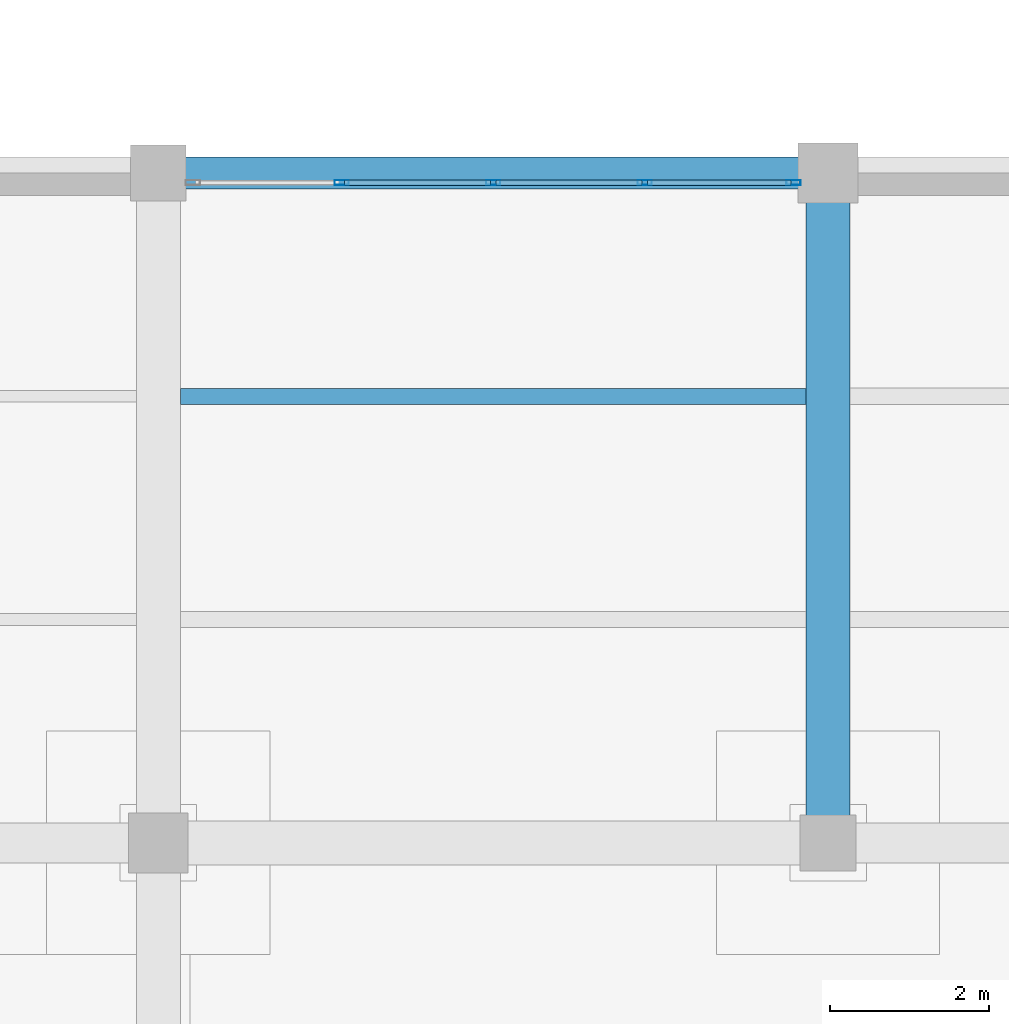
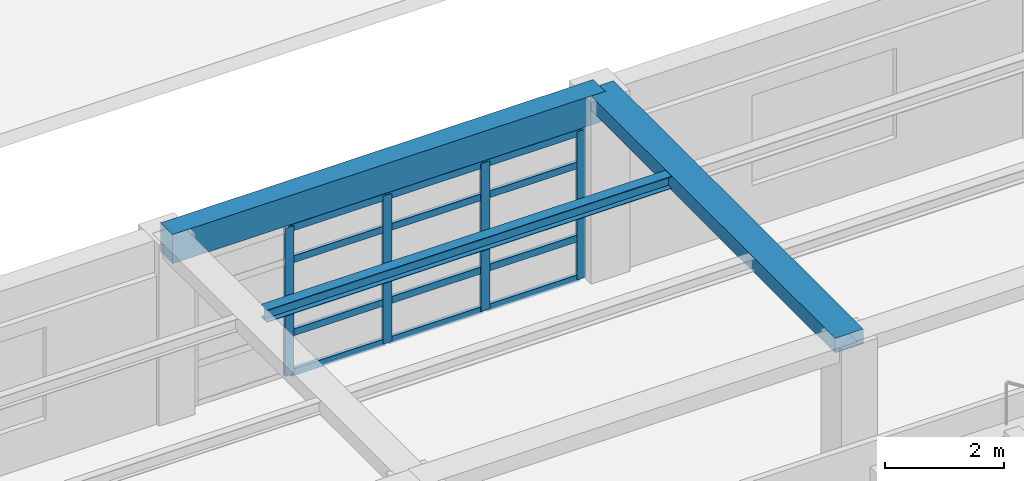
# One storey, part 23 of 35: 16 members, 3 beams, 1 element without a shape of its own.
"""IFC4 building model written with IfcOpenShell, lengths in metres."""

from ifc_helpers import new_model, si_unit, direction, frame, origin, origin_2d, place, context, subcontext, project, spatial, rectangle, hollow_rectangle, i_section, extrude, material, material_profile, profile_set, type_object, element, aggregate, save


model = new_model("IFC4")

# Units and contexts
model_context = context("Model", 3, precision=1e-05, world=origin(), true_north=direction((0.0, 1.0)))
body_context = subcontext(model_context, "Body", "Model", "MODEL_VIEW")
ifc_project = project(units=[si_unit("LENGTHUNIT", "METRE"), si_unit("AREAUNIT", "SQUARE_METRE"), si_unit("VOLUMEUNIT", "CUBIC_METRE"), si_unit("PLANEANGLEUNIT", "RADIAN"), si_unit("MASSUNIT", "GRAM", prefix="KILO")], contexts=[model_context])

# Site, building, storey
site_placement = place(None, origin())
site = spatial("IfcSite", under=ifc_project, at=site_placement, CompositionType="ELEMENT")
building_placement = place(site_placement, origin())
building = spatial("IfcBuilding", under=site, at=building_placement, Name="Almacenes y Pasaje Nevantli", CompositionType="ELEMENT")
storey_placement = place(building_placement, frame((0.0, 0.0, 26.699951171875)))
storey = spatial("IfcBuildingStorey", under=building, at=storey_placement, Name="L06", CompositionType="ELEMENT", Elevation=26.699951171875)

# Beams
ifc_material_1 = material(Name="Concrete C35/45", Category="concrete")
ifc_material_profile_1 = material_profile(ifc_material_1, rectangle(XDim=0.39990234375, YDim=0.60009765625, at=origin_2d()), Name="RC-BM-400x600")
ifc_profile_set_1 = profile_set([ifc_material_profile_1], Name="Concrete C35/45")
beam_type_1 = type_object("IfcBeamType", Name="BM-RC-400x600", PredefinedType="SPANDREL", material=ifc_profile_set_1)
beam_1_placement = place(storey_placement, frame((126.0, 100.800048828125, 3.420166015625), z_axis=(1.0, 0.0, 0.0), x_axis=(0.0, 1.0, 0.0)))
element("IfcBeam", 1, at=beam_1_placement, inside=storey, type_object=beam_type_1, Name="L06 East-West Reinforced Concrete Beam #3599", PredefinedType="SPANDREL", context=body_context, shape_type="SweptSolid", body=[
    extrude(rectangle(XDim=0.39990234375, YDim=0.60009765625, at=origin_2d()), origin(), (0.0, 0.0, 1.0), 8.39990234375),
])
ifc_material_2 = material(Name="Concrete C35/45", Category="concrete")
ifc_material_profile_2 = material_profile(ifc_material_2, rectangle(XDim=0.550048828125, YDim=0.300048828125, at=origin_2d()), Name="RC-BM-550x300")
ifc_profile_set_2 = profile_set([ifc_material_profile_2], Name="Concrete C35/45")
beam_type_2 = type_object("IfcBeamType", Name="BM-RC-550x300", PredefinedType="BEAM", material=ifc_profile_set_2)
beam_2_placement = place(storey_placement, frame((134.39990234375, 92.39990234375, 3.570068359375), z_axis=(0.0, 1.0, 0.0), x_axis=(-1.0, 0.0, 0.0)))
element("IfcBeam", 2, at=beam_2_placement, inside=storey, type_object=beam_type_2, Name="L06 North-South Reinforced Concrete Beam #3616", PredefinedType="BEAM", context=body_context, shape_type="SweptSolid", body=[
    extrude(rectangle(XDim=0.550048828125, YDim=0.300048828125, at=origin_2d()), origin(), (0.0, 0.0, 1.0), 8.400146484375),
])
ifc_material_3 = material(Name="Steel ASTM A992", Category="steel")
ifc_material_profile_3 = material_profile(ifc_material_3, i_section(OverallWidth=0.202880859375, OverallDepth=0.25390625, WebThickness=0.00732421875, FlangeThickness=0.010986328125, at=origin_2d()), Name="IR 254x49.1")
ifc_profile_set_3 = profile_set([ifc_material_profile_3], Name="Steel ASTM A992")
beam_type_3 = type_object("IfcBeamType", Name="BM-STL-IR-254x49p1", PredefinedType="JOIST", material=ifc_profile_set_3)
beam_3_placement = place(storey_placement, frame((126.27490234375, 98.0, 3.5849609375), z_axis=(1.0, 0.0, 0.0), x_axis=(0.0, 1.0, 0.0)))
element("IfcBeam", 3, at=beam_3_placement, inside=storey, type_object=beam_type_3, Name="L06 Secondary Steel Floor Joist #1366", PredefinedType="JOIST", context=body_context, shape_type="SweptSolid", body=[
    extrude(i_section(OverallWidth=0.202880859375, OverallDepth=0.25390625, WebThickness=0.00732421875, FlangeThickness=0.010986328125, at=origin_2d()), origin(), (0.0, 0.0, 1.0), 7.85009765625),
])

# Curtain wall, members
ifc_material_4 = material(Name="Thermally Broken Aluminium and Low-E Glass", Category="aluminium")
curtain_wall_type = type_object("IfcCurtainWallType", Name="CW-UNIT-TOWER", PredefinedType="USERDEFINED", material=ifc_material_4)
curtain_wall_placement = place(storey_placement, origin())
curtain_wall = element("IfcCurtainWall", 4, at=curtain_wall_placement, inside=storey, type_object=curtain_wall_type, Name="L06 Tower North Boulevard Unitized Curtain Wall Bay 16", ObjectType="UNITIZED CURTAIN WALL", PredefinedType="USERDEFINED")
ifc_material_5 = material(Name="Thermally Broken Anodized Aluminium", Category="aluminium")
ifc_material_profile_4 = material_profile(ifc_material_5, hollow_rectangle(XDim=0.06494140625, YDim=0.179931640625, WallThickness=0.00390625, at=origin_2d()), Name="ALU-MUL-65x180")
ifc_profile_set_4 = profile_set([ifc_material_profile_4], Name="Thermally Broken Anodized Aluminium")
member_type_1 = type_object("IfcMemberType", Name="CW-MUL-200", PredefinedType="MULLION", material=ifc_profile_set_4)
member_1_placement = place(storey_placement, frame((128.300048828125, 100.679931640625, 0.0), z_axis=(0.0, 0.0, 1.0), x_axis=(0.0, 1.0, 0.0)))
member_1 = element("IfcMember", 5, at=member_1_placement, type_object=member_type_1, Name="CW-L06-104 mullion 2", PredefinedType="MULLION", context=body_context, shape_type="SweptSolid", body=[
    extrude(hollow_rectangle(XDim=0.06494140625, YDim=0.179931640625, WallThickness=0.00390625, at=origin_2d()), origin(), (0.0, 0.0, 1.0), 3.0400390625),
])
member_2_placement = place(storey_placement, frame((130.199951171875, 100.679931640625, 0.0), z_axis=(0.0, 0.0, 1.0), x_axis=(0.0, 1.0, 0.0)))
member_2 = element("IfcMember", 6, at=member_2_placement, type_object=member_type_1, Name="CW-L06-104 mullion 3", PredefinedType="MULLION", context=body_context, shape_type="SweptSolid", body=[
    extrude(hollow_rectangle(XDim=0.06494140625, YDim=0.179931640625, WallThickness=0.00390625, at=origin_2d()), origin(), (0.0, 0.0, 1.0), 3.0400390625),
])
member_3_placement = place(storey_placement, frame((132.10009765625, 100.679931640625, 0.0), z_axis=(0.0, 0.0, 1.0), x_axis=(0.0, 1.0, 0.0)))
member_3 = element("IfcMember", 7, at=member_3_placement, type_object=member_type_1, Name="CW-L06-104 mullion 4", PredefinedType="MULLION", context=body_context, shape_type="SweptSolid", body=[
    extrude(hollow_rectangle(XDim=0.06494140625, YDim=0.179931640625, WallThickness=0.00390625, at=origin_2d()), origin(), (0.0, 0.0, 1.0), 3.0400390625),
])
member_4_placement = place(storey_placement, frame((133.967529296875, 100.679931640625, 0.0), z_axis=(0.0, 0.0, 1.0), x_axis=(0.0, 1.0, 0.0)))
member_4 = element("IfcMember", 8, at=member_4_placement, type_object=member_type_1, Name="CW-L06-104 mullion 5", PredefinedType="MULLION", context=body_context, shape_type="SweptSolid", body=[
    extrude(hollow_rectangle(XDim=0.06494140625, YDim=0.179931640625, WallThickness=0.00390625, at=origin_2d()), origin(), (0.0, 0.0, 1.0), 3.0400390625),
])
ifc_material_6 = material(Name="Thermally Broken Anodized Aluminium", Category="aluminium")
ifc_material_profile_5 = material_profile(ifc_material_6, hollow_rectangle(XDim=0.06494140625, YDim=0.139892578125, WallThickness=0.00390625, at=origin_2d()), Name="ALU-TRN-65x140")
ifc_profile_set_5 = profile_set([ifc_material_profile_5], Name="Thermally Broken Anodized Aluminium")
member_type_2 = type_object("IfcMemberType", Name="CW-TRN-150", PredefinedType="USERDEFINED", material=ifc_profile_set_5)
member_5_placement = place(storey_placement, frame((128.33251953125, 100.679931640625, 0.032470703125), z_axis=(1.0, 0.0, 0.0), x_axis=(0.0, 1.0, 0.0)))
member_5 = element("IfcMember", 9, at=member_5_placement, type_object=member_type_2, Name="CW-L06-104 transom 2.1", ObjectType="TRANSOM", PredefinedType="USERDEFINED", context=body_context, shape_type="SweptSolid", body=[
    extrude(hollow_rectangle(XDim=0.06494140625, YDim=0.139892578125, WallThickness=0.00390625, at=origin_2d()), origin(), (0.0, 0.0, 1.0), 1.8349609375),
])
member_6_placement = place(storey_placement, frame((128.33251953125, 100.679931640625, 0.85009765625), z_axis=(1.0, 0.0, 0.0), x_axis=(0.0, 1.0, 0.0)))
member_6 = element("IfcMember", 10, at=member_6_placement, type_object=member_type_2, Name="CW-L06-104 transom 2.2", ObjectType="TRANSOM", PredefinedType="USERDEFINED", context=body_context, shape_type="SweptSolid", body=[
    extrude(hollow_rectangle(XDim=0.06494140625, YDim=0.139892578125, WallThickness=0.00390625, at=origin_2d()), origin(), (0.0, 0.0, 1.0), 1.8349609375),
])
member_7_placement = place(storey_placement, frame((128.33251953125, 100.679931640625, 2.35009765625), z_axis=(1.0, 0.0, 0.0), x_axis=(0.0, 1.0, 0.0)))
member_7 = element("IfcMember", 11, at=member_7_placement, type_object=member_type_2, Name="CW-L06-104 transom 2.3", ObjectType="TRANSOM", PredefinedType="USERDEFINED", context=body_context, shape_type="SweptSolid", body=[
    extrude(hollow_rectangle(XDim=0.06494140625, YDim=0.139892578125, WallThickness=0.00390625, at=origin_2d()), origin(), (0.0, 0.0, 1.0), 1.8349609375),
])
member_8_placement = place(storey_placement, frame((128.33251953125, 100.679931640625, 3.007568359375), z_axis=(1.0, 0.0, 0.0), x_axis=(0.0, 1.0, 0.0)))
member_8 = element("IfcMember", 12, at=member_8_placement, type_object=member_type_2, Name="CW-L06-104 transom 2.4", ObjectType="TRANSOM", PredefinedType="USERDEFINED", context=body_context, shape_type="SweptSolid", body=[
    extrude(hollow_rectangle(XDim=0.06494140625, YDim=0.139892578125, WallThickness=0.00390625, at=origin_2d()), origin(), (0.0, 0.0, 1.0), 1.8349609375),
])
member_9_placement = place(storey_placement, frame((130.232421875, 100.679931640625, 0.032470703125), z_axis=(1.0, 0.0, 0.0), x_axis=(0.0, 1.0, 0.0)))
member_9 = element("IfcMember", 13, at=member_9_placement, type_object=member_type_2, Name="CW-L06-104 transom 3.1", ObjectType="TRANSOM", PredefinedType="USERDEFINED", context=body_context, shape_type="SweptSolid", body=[
    extrude(hollow_rectangle(XDim=0.06494140625, YDim=0.139892578125, WallThickness=0.00390625, at=origin_2d()), origin(), (0.0, 0.0, 1.0), 1.8349609375),
])
member_10_placement = place(storey_placement, frame((130.232421875, 100.679931640625, 0.85009765625), z_axis=(1.0, 0.0, 0.0), x_axis=(0.0, 1.0, 0.0)))
member_10 = element("IfcMember", 14, at=member_10_placement, type_object=member_type_2, Name="CW-L06-104 transom 3.2", ObjectType="TRANSOM", PredefinedType="USERDEFINED", context=body_context, shape_type="SweptSolid", body=[
    extrude(hollow_rectangle(XDim=0.06494140625, YDim=0.139892578125, WallThickness=0.00390625, at=origin_2d()), origin(), (0.0, 0.0, 1.0), 1.8349609375),
])
member_11_placement = place(storey_placement, frame((130.232421875, 100.679931640625, 2.35009765625), z_axis=(1.0, 0.0, 0.0), x_axis=(0.0, 1.0, 0.0)))
member_11 = element("IfcMember", 15, at=member_11_placement, type_object=member_type_2, Name="CW-L06-104 transom 3.3", ObjectType="TRANSOM", PredefinedType="USERDEFINED", context=body_context, shape_type="SweptSolid", body=[
    extrude(hollow_rectangle(XDim=0.06494140625, YDim=0.139892578125, WallThickness=0.00390625, at=origin_2d()), origin(), (0.0, 0.0, 1.0), 1.8349609375),
])
member_12_placement = place(storey_placement, frame((130.232421875, 100.679931640625, 3.007568359375), z_axis=(1.0, 0.0, 0.0), x_axis=(0.0, 1.0, 0.0)))
member_12 = element("IfcMember", 16, at=member_12_placement, type_object=member_type_2, Name="CW-L06-104 transom 3.4", ObjectType="TRANSOM", PredefinedType="USERDEFINED", context=body_context, shape_type="SweptSolid", body=[
    extrude(hollow_rectangle(XDim=0.06494140625, YDim=0.139892578125, WallThickness=0.00390625, at=origin_2d()), origin(), (0.0, 0.0, 1.0), 1.8349609375),
])
member_13_placement = place(storey_placement, frame((132.132568359375, 100.679931640625, 0.032470703125), z_axis=(1.0, 0.0, 0.0), x_axis=(0.0, 1.0, 0.0)))
member_13 = element("IfcMember", 17, at=member_13_placement, type_object=member_type_2, Name="CW-L06-104 transom 4.1", ObjectType="TRANSOM", PredefinedType="USERDEFINED", context=body_context, shape_type="SweptSolid", body=[
    extrude(hollow_rectangle(XDim=0.06494140625, YDim=0.139892578125, WallThickness=0.00390625, at=origin_2d()), origin(), (0.0, 0.0, 1.0), 1.802490234375),
])
member_14_placement = place(storey_placement, frame((132.132568359375, 100.679931640625, 0.85009765625), z_axis=(1.0, 0.0, 0.0), x_axis=(0.0, 1.0, 0.0)))
member_14 = element("IfcMember", 18, at=member_14_placement, type_object=member_type_2, Name="CW-L06-104 transom 4.2", ObjectType="TRANSOM", PredefinedType="USERDEFINED", context=body_context, shape_type="SweptSolid", body=[
    extrude(hollow_rectangle(XDim=0.06494140625, YDim=0.139892578125, WallThickness=0.00390625, at=origin_2d()), origin(), (0.0, 0.0, 1.0), 1.802490234375),
])
member_15_placement = place(storey_placement, frame((132.132568359375, 100.679931640625, 2.35009765625), z_axis=(1.0, 0.0, 0.0), x_axis=(0.0, 1.0, 0.0)))
member_15 = element("IfcMember", 19, at=member_15_placement, type_object=member_type_2, Name="CW-L06-104 transom 4.3", ObjectType="TRANSOM", PredefinedType="USERDEFINED", context=body_context, shape_type="SweptSolid", body=[
    extrude(hollow_rectangle(XDim=0.06494140625, YDim=0.139892578125, WallThickness=0.00390625, at=origin_2d()), origin(), (0.0, 0.0, 1.0), 1.802490234375),
])
member_16_placement = place(storey_placement, frame((132.132568359375, 100.679931640625, 3.007568359375), z_axis=(1.0, 0.0, 0.0), x_axis=(0.0, 1.0, 0.0)))
member_16 = element("IfcMember", 20, at=member_16_placement, type_object=member_type_2, Name="CW-L06-104 transom 4.4", ObjectType="TRANSOM", PredefinedType="USERDEFINED", context=body_context, shape_type="SweptSolid", body=[
    extrude(hollow_rectangle(XDim=0.06494140625, YDim=0.139892578125, WallThickness=0.00390625, at=origin_2d()), origin(), (0.0, 0.0, 1.0), 1.802490234375),
])
aggregate(curtain_wall, [member_1, member_2, member_3, member_4, member_5, member_6, member_7, member_8, member_9, member_10, member_11, member_12, member_13, member_14, member_15, member_16])

save(model, "model.ifc")
